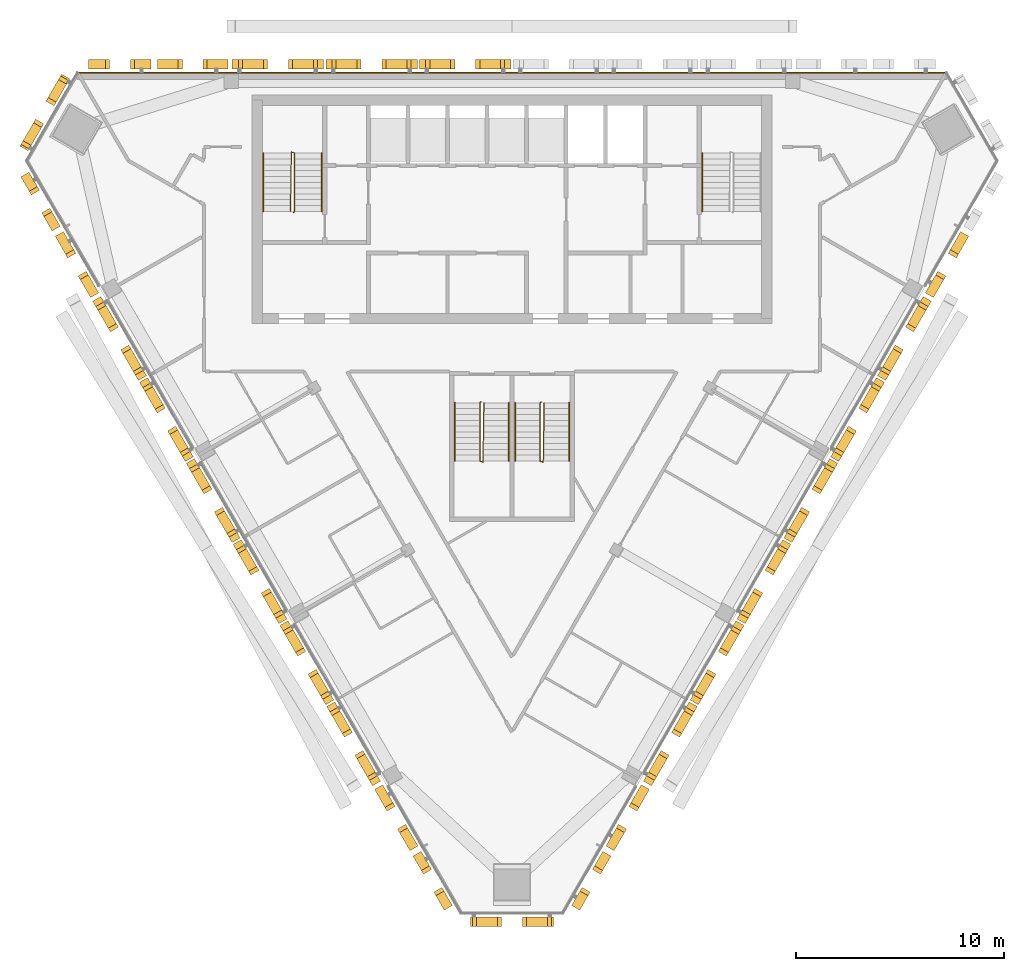
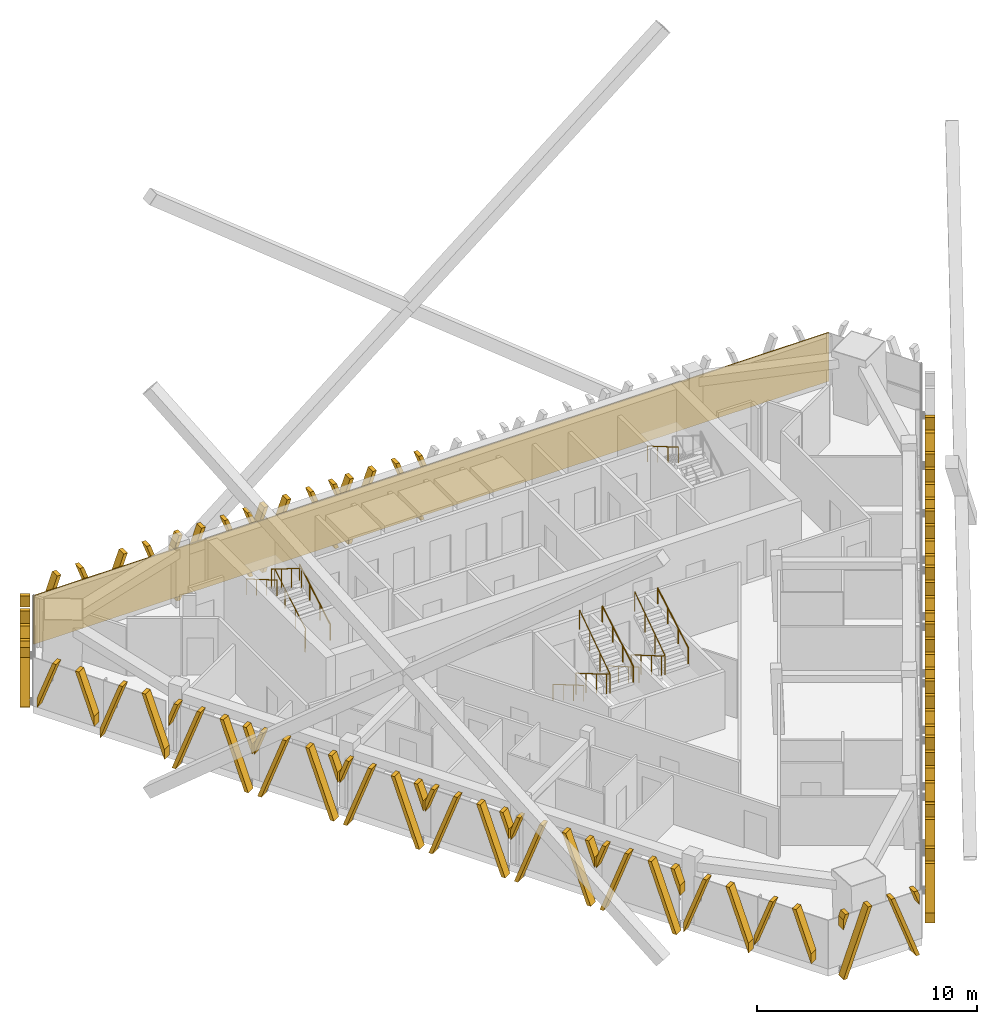
# One storey, part 12 of 14: 26 shading devices, 10 railings, 1 covering.
"""IFC4 building model written with IfcOpenShell, lengths in metres."""

from ifc_helpers import new_model, si_unit, direction, frame, frame_2d, origin, origin_2d, place, context, subcontext, project, spatial, polyline, rectangle, circle, outline, extrude, source, transform, mapped, material, layer, layer_set, type_object, element, save


model = new_model("IFC4")

# Units and contexts
model_context = context("Model", 3, precision=1e-05, world=origin(), true_north=direction((0.0, 1.0)))
body_context = subcontext(model_context, "Body", "Model", "MODEL_VIEW")
ifc_project = project(units=[si_unit("LENGTHUNIT", "METRE"), si_unit("AREAUNIT", "SQUARE_METRE"), si_unit("VOLUMEUNIT", "CUBIC_METRE"), si_unit("PLANEANGLEUNIT", "RADIAN"), si_unit("MASSUNIT", "GRAM", prefix="KILO")], contexts=[model_context])

# Site, building, storey
site_placement = place(None, origin())
site = spatial("IfcSite", under=ifc_project, at=site_placement, CompositionType="ELEMENT")
building_placement = place(site_placement, origin())
building = spatial("IfcBuilding", under=site, at=building_placement, Name="Altiplano Prism Tower", CompositionType="ELEMENT")
storey_placement = place(building_placement, frame((0.0, 0.0, 264.39990234375)))
storey = spatial("IfcBuildingStorey", under=building, at=storey_placement, Name="L68", CompositionType="ELEMENT", Elevation=264.39990234375)

# Railings
ifc_material_1 = material(Name="Steel S355", Category="steel")
railing_type_1 = type_object("IfcRailingType", Name="Stair guard 1100", PredefinedType="GUARDRAIL", material=ifc_material_1)
railing_1_placement = place(storey_placement, frame((74.5, 98.25, 0.0)))
element("IfcRailing", 1, at=railing_1_placement, inside=storey, type_object=railing_type_1, Name="L68 ST1 stair guard 1", PredefinedType="GUARDRAIL", context=body_context, shape_type="SweptSolid", body=[
    extrude(circle(Radius=0.02392578125, at=origin_2d()), frame((0.0, 0.0, 1.076171875), z_axis=(0.280456126637, 0.280456126637, 0.917980785237), x_axis=(-0.707106781187, 0.707106781187, 0.0)), (0.0, 0.0, 1.0), 0.178466796875),
    extrude(circle(Radius=0.02392578125, at=origin_2d()), frame((0.050048828125, 0.050048828125, 1.23974609375), z_axis=(0.0, 0.863393664356, 0.504530851732), x_axis=(-1.0, 0.0, 0.0)), (0.0, 0.0, 1.0), 3.2431640625),
    extrude(circle(Radius=0.02392578125, at=origin_2d()), frame((0.050048828125, 2.85009765625, 2.8759765625), z_axis=(-0.949145278916, 0.314838433982, 0.0), x_axis=(-0.314838433982, -0.949145278916, 0.0)), (0.0, 0.0, 1.0), 0.158203125),
    extrude(circle(Radius=0.02392578125, at=origin_2d()), frame((-0.10009765625, 2.89990234375, 2.8759765625), z_axis=(-0.01477401265, -0.845377694409, 0.533964682676), x_axis=(0.999847325713, -0.01747355902, 0.0)), (0.0, 0.0, 1.0), 3.37109375),
    extrude(circle(Radius=0.02099609375, at=origin_2d()), origin(), (0.0, 0.0, 1.0), 1.052001953125),
    extrude(circle(Radius=0.02099609375, at=origin_2d()), frame((0.050048828125, 0.050048828125, 0.163818359375)), (0.0, 0.0, 1.0), 1.052001953125),
    extrude(circle(Radius=0.02099609375, at=origin_2d()), frame((0.050048828125, 0.9833984375, 0.709228515625)), (0.0, 0.0, 1.0), 1.052001953125),
    extrude(circle(Radius=0.02099609375, at=origin_2d()), frame((0.050048828125, 1.916748046875, 1.254638671875)), (0.0, 0.0, 1.0), 1.052001953125),
    extrude(circle(Radius=0.02099609375, at=origin_2d()), frame((0.050048828125, 2.85009765625, 1.800048828125)), (0.0, 0.0, 1.0), 1.052001953125),
    extrude(circle(Radius=0.02099609375, at=origin_2d()), frame((-0.10009765625, 2.89990234375, 1.800048828125)), (0.0, 0.0, 1.0), 1.052001953125),
    extrude(circle(Radius=0.02099609375, at=origin_2d()), frame((-0.11669921875, 1.949951171875, 2.400146484375)), (0.0, 0.0, 1.0), 1.052001953125),
    extrude(circle(Radius=0.02099609375, at=origin_2d()), frame((-0.13330078125, 1.0, 3.0)), (0.0, 0.0, 1.0), 1.052001953125),
    extrude(circle(Radius=0.02099609375, at=origin_2d()), frame((-0.14990234375, 0.050048828125, 3.60009765625)), (0.0, 0.0, 1.0), 1.052001953125),
])
railing_2_placement = place(storey_placement, frame((83.5, 89.14990234375, 0.0)))
element("IfcRailing", 2, at=railing_2_placement, inside=storey, type_object=railing_type_1, Name="L68 ST3A stair guard 1", PredefinedType="GUARDRAIL", context=body_context, shape_type="SweptSolid", body=[
    extrude(circle(Radius=0.02392578125, at=origin_2d()), frame((0.0, 0.0, 1.076171875), z_axis=(-0.280563532951, -0.279194930351, 0.91833234444), x_axis=(0.705375805398, -0.708833529934, 0.0)), (0.0, 0.0, 1.0), 0.178466796875),
    extrude(circle(Radius=0.02392578125, at=origin_2d()), frame((-0.050048828125, -0.0498046875, 1.23974609375), z_axis=(0.0, -0.863393664356, 0.504530851732), x_axis=(1.0, 0.0, 0.0)), (0.0, 0.0, 1.0), 3.2431640625),
    extrude(circle(Radius=0.02392578125, at=origin_2d()), frame((-0.050048828125, -2.849853515625, 2.8759765625), z_axis=(0.948683298051, -0.316227766017, 0.0), x_axis=(0.316227766017, 0.948683298051, 0.0)), (0.0, 0.0, 1.0), 0.158203125),
    extrude(circle(Radius=0.02392578125, at=origin_2d()), frame((0.10009765625, -2.89990234375, 2.8759765625), z_axis=(0.014773108175, 0.84539835705, 0.533931993021), x_axis=(-0.999847351862, 0.017472062685, 0.0)), (0.0, 0.0, 1.0), 3.371337890625),
    extrude(circle(Radius=0.02099609375, at=origin_2d()), origin(), (0.0, 0.0, 1.0), 1.052001953125),
    extrude(circle(Radius=0.02099609375, at=origin_2d()), frame((-0.050048828125, -0.0498046875, 0.163818359375)), (0.0, 0.0, 1.0), 1.052001953125),
    extrude(circle(Radius=0.02099609375, at=origin_2d()), frame((-0.050048828125, -0.983154296875, 0.709228515625)), (0.0, 0.0, 1.0), 1.052001953125),
    extrude(circle(Radius=0.02099609375, at=origin_2d()), frame((-0.050048828125, -1.91650390625, 1.254638671875)), (0.0, 0.0, 1.0), 1.052001953125),
    extrude(circle(Radius=0.02099609375, at=origin_2d()), frame((-0.050048828125, -2.849853515625, 1.800048828125)), (0.0, 0.0, 1.0), 1.052001953125),
    extrude(circle(Radius=0.02099609375, at=origin_2d()), frame((0.10009765625, -2.89990234375, 1.800048828125)), (0.0, 0.0, 1.0), 1.052001953125),
    extrude(circle(Radius=0.02099609375, at=origin_2d()), frame((0.11669921875, -1.949951171875, 2.400146484375)), (0.0, 0.0, 1.0), 1.052001953125),
    extrude(circle(Radius=0.02099609375, at=origin_2d()), frame((0.13330078125, -0.999755859375, 3.0)), (0.0, 0.0, 1.0), 1.052001953125),
    extrude(circle(Radius=0.02099609375, at=origin_2d()), frame((0.14990234375, -0.0498046875, 3.60009765625)), (0.0, 0.0, 1.0), 1.052001953125),
])
railing_3_placement = place(storey_placement, frame((86.39990234375, 89.14990234375, 0.0)))
element("IfcRailing", 3, at=railing_3_placement, inside=storey, type_object=railing_type_1, Name="L68 ST3B stair guard 1", PredefinedType="GUARDRAIL", context=body_context, shape_type="SweptSolid", body=[
    extrude(circle(Radius=0.02392578125, at=origin_2d()), frame((0.0, 0.0, 1.076171875), z_axis=(-0.279301935624, -0.279301935624, 0.918684307863), x_axis=(0.707106781187, -0.707106781187, 0.0)), (0.0, 0.0, 1.0), 0.17822265625),
    extrude(circle(Radius=0.02392578125, at=origin_2d()), frame((-0.0498046875, -0.0498046875, 1.23974609375), z_axis=(0.0, -0.863393664356, 0.504530851732), x_axis=(1.0, 0.0, 0.0)), (0.0, 0.0, 1.0), 3.2431640625),
    extrude(circle(Radius=0.02392578125, at=origin_2d()), frame((-0.0498046875, -2.849853515625, 2.8759765625), z_axis=(0.948528701346, -0.316691178788, 0.0), x_axis=(0.316691178788, 0.948528701346, 0.0)), (0.0, 0.0, 1.0), 0.157958984375),
    extrude(circle(Radius=0.02392578125, at=origin_2d()), frame((0.10009765625, -2.89990234375, 2.8759765625), z_axis=(0.014845509451, 0.845397450405, 0.533931420407), x_axis=(-0.999845851991, 0.017557683712, 0.0)), (0.0, 0.0, 1.0), 3.371337890625),
    extrude(circle(Radius=0.02099609375, at=origin_2d()), origin(), (0.0, 0.0, 1.0), 1.052001953125),
    extrude(circle(Radius=0.02099609375, at=origin_2d()), frame((-0.0498046875, -0.0498046875, 0.163818359375)), (0.0, 0.0, 1.0), 1.052001953125),
    extrude(circle(Radius=0.02099609375, at=origin_2d()), frame((-0.0498046875, -0.983154296875, 0.709228515625)), (0.0, 0.0, 1.0), 1.052001953125),
    extrude(circle(Radius=0.02099609375, at=origin_2d()), frame((-0.0498046875, -1.91650390625, 1.254638671875)), (0.0, 0.0, 1.0), 1.052001953125),
    extrude(circle(Radius=0.02099609375, at=origin_2d()), frame((-0.0498046875, -2.849853515625, 1.800048828125)), (0.0, 0.0, 1.0), 1.052001953125),
    extrude(circle(Radius=0.02099609375, at=origin_2d()), frame((0.10009765625, -2.89990234375, 1.800048828125)), (0.0, 0.0, 1.0), 1.052001953125),
    extrude(circle(Radius=0.02099609375, at=origin_2d()), frame((0.11669921875, -1.949951171875, 2.400146484375)), (0.0, 0.0, 1.0), 1.052001953125),
    extrude(circle(Radius=0.02099609375, at=origin_2d()), frame((0.133544921875, -0.999755859375, 3.0)), (0.0, 0.0, 1.0), 1.052001953125),
    extrude(circle(Radius=0.02099609375, at=origin_2d()), frame((0.150146484375, -0.0498046875, 3.60009765625)), (0.0, 0.0, 1.0), 1.052001953125),
])
railing_type_2 = type_object("IfcRailingType", Name="Stair handrail 900", PredefinedType="HANDRAIL", material=ifc_material_1)
railing_4_placement = place(storey_placement, frame((75.85009765625, 98.300048828125, 0.163818359375)))
element("IfcRailing", 4, at=railing_4_placement, inside=storey, type_object=railing_type_2, Name="L68 ST1 stair handrail 1", PredefinedType="HANDRAIL", context=body_context, shape_type="SweptSolid", body=[
    extrude(circle(Radius=0.02392578125, at=origin_2d()), frame((0.0, 0.0, 0.8759765625), z_axis=(0.0, 0.863393664356, 0.504530851732), x_axis=(-1.0, 0.0, 0.0)), (0.0, 0.0, 1.0), 3.2431640625),
    extrude(circle(Radius=0.02099609375, at=origin_2d()), origin(), (0.0, 0.0, 1.0), 0.851806640625),
    extrude(circle(Radius=0.02099609375, at=origin_2d()), frame((0.0, 0.933349609375, 0.54541015625)), (0.0, 0.0, 1.0), 0.851806640625),
    extrude(circle(Radius=0.02099609375, at=origin_2d()), frame((0.0, 1.86669921875, 1.0908203125)), (0.0, 0.0, 1.0), 0.851806640625),
    extrude(circle(Radius=0.02099609375, at=origin_2d()), frame((0.0, 2.800048828125, 1.63623046875)), (0.0, 0.0, 1.0), 0.851806640625),
])
for number, where, name in (
    (5, (73.050048828125, 101.10009765625, 1.963623046875), "L68 ST1 stair handrail 2"),
    (6, (94.14990234375, 101.10009765625, 1.963623046875), "L68 ST2 stair handrail 2"),
):
    element("IfcRailing", number, at=place(storey_placement, frame(where)), inside=storey, type_object=railing_type_2, Name=name, PredefinedType="HANDRAIL", context=body_context, shape_type="SweptSolid", body=[
        extrude(circle(Radius=0.02392578125, at=origin_2d()), frame((0.0, 0.0, 0.8759765625), z_axis=(0.0, -0.863360870873, 0.504586966384), x_axis=(1.0, 0.0, 0.0)), (0.0, 0.0, 1.0), 3.2431640625),
        extrude(circle(Radius=0.02099609375, at=origin_2d()), origin(), (0.0, 0.0, 1.0), 0.851806640625),
        extrude(circle(Radius=0.02099609375, at=origin_2d()), frame((0.0, -0.933349609375, 0.54541015625)), (0.0, 0.0, 1.0), 0.851806640625),
        extrude(circle(Radius=0.02099609375, at=origin_2d()), frame((0.0, -1.86669921875, 1.091064453125)), (0.0, 0.0, 1.0), 0.851806640625),
        extrude(circle(Radius=0.02099609375, at=origin_2d()), frame((0.0, -2.800048828125, 1.636474609375)), (0.0, 0.0, 1.0), 0.851806640625),
    ])
railing_5_placement = place(storey_placement, frame((82.25, 89.10009765625, 0.163818359375)))
element("IfcRailing", 7, at=railing_5_placement, inside=storey, type_object=railing_type_2, Name="L68 ST3A stair handrail 1", PredefinedType="HANDRAIL", context=body_context, shape_type="SweptSolid", body=[
    extrude(circle(Radius=0.02392578125, at=origin_2d()), frame((0.0, 0.0, 0.8759765625), z_axis=(0.0, -0.863393664356, 0.504530851732), x_axis=(1.0, 0.0, 0.0)), (0.0, 0.0, 1.0), 3.2431640625),
    extrude(circle(Radius=0.02099609375, at=origin_2d()), origin(), (0.0, 0.0, 1.0), 0.851806640625),
    extrude(circle(Radius=0.02099609375, at=origin_2d()), frame((0.0, -0.933349609375, 0.54541015625)), (0.0, 0.0, 1.0), 0.851806640625),
    extrude(circle(Radius=0.02099609375, at=origin_2d()), frame((0.0, -1.86669921875, 1.0908203125)), (0.0, 0.0, 1.0), 0.851806640625),
    extrude(circle(Radius=0.02099609375, at=origin_2d()), frame((0.0, -2.800048828125, 1.63623046875)), (0.0, 0.0, 1.0), 0.851806640625),
])
railing_6_placement = place(storey_placement, frame((84.85009765625, 86.300048828125, 1.963623046875)))
element("IfcRailing", 8, at=railing_6_placement, inside=storey, type_object=railing_type_2, Name="L68 ST3A stair handrail 2", PredefinedType="HANDRAIL", context=body_context, shape_type="SweptSolid", body=[
    extrude(circle(Radius=0.02392578125, at=origin_2d()), frame((0.0, 0.0, 0.8759765625), z_axis=(0.0, 0.863360870873, 0.504586966384), x_axis=(-1.0, 0.0, 0.0)), (0.0, 0.0, 1.0), 3.2431640625),
    extrude(circle(Radius=0.02099609375, at=origin_2d()), origin(), (0.0, 0.0, 1.0), 0.851806640625),
    extrude(circle(Radius=0.02099609375, at=origin_2d()), frame((0.0, 0.933349609375, 0.54541015625)), (0.0, 0.0, 1.0), 0.851806640625),
    extrude(circle(Radius=0.02099609375, at=origin_2d()), frame((0.0, 1.86669921875, 1.091064453125)), (0.0, 0.0, 1.0), 0.851806640625),
    extrude(circle(Radius=0.02099609375, at=origin_2d()), frame((0.0, 2.800048828125, 1.636474609375)), (0.0, 0.0, 1.0), 0.851806640625),
])
railing_7_placement = place(storey_placement, frame((85.14990234375, 89.10009765625, 0.163818359375)))
element("IfcRailing", 9, at=railing_7_placement, inside=storey, type_object=railing_type_2, Name="L68 ST3B stair handrail 1", PredefinedType="HANDRAIL", context=body_context, shape_type="SweptSolid", body=[
    extrude(circle(Radius=0.02392578125, at=origin_2d()), frame((0.0, 0.0, 0.8759765625), z_axis=(0.0, -0.863393664356, 0.504530851732), x_axis=(1.0, 0.0, 0.0)), (0.0, 0.0, 1.0), 3.2431640625),
    extrude(circle(Radius=0.02099609375, at=origin_2d()), origin(), (0.0, 0.0, 1.0), 0.851806640625),
    extrude(circle(Radius=0.02099609375, at=origin_2d()), frame((0.0, -0.933349609375, 0.54541015625)), (0.0, 0.0, 1.0), 0.851806640625),
    extrude(circle(Radius=0.02099609375, at=origin_2d()), frame((0.0, -1.86669921875, 1.0908203125)), (0.0, 0.0, 1.0), 0.851806640625),
    extrude(circle(Radius=0.02099609375, at=origin_2d()), frame((0.0, -2.800048828125, 1.63623046875)), (0.0, 0.0, 1.0), 0.851806640625),
])
railing_8_placement = place(storey_placement, frame((87.75, 86.300048828125, 1.963623046875)))
element("IfcRailing", 10, at=railing_8_placement, inside=storey, type_object=railing_type_2, Name="L68 ST3B stair handrail 2", PredefinedType="HANDRAIL", context=body_context, shape_type="SweptSolid", body=[
    extrude(circle(Radius=0.02392578125, at=origin_2d()), frame((0.0, 0.0, 0.8759765625), z_axis=(0.0, 0.863360870873, 0.504586966384), x_axis=(-1.0, 0.0, 0.0)), (0.0, 0.0, 1.0), 3.2431640625),
    extrude(circle(Radius=0.02099609375, at=origin_2d()), origin(), (0.0, 0.0, 1.0), 0.851806640625),
    extrude(circle(Radius=0.02099609375, at=origin_2d()), frame((0.0, 0.933349609375, 0.54541015625)), (0.0, 0.0, 1.0), 0.851806640625),
    extrude(circle(Radius=0.02099609375, at=origin_2d()), frame((0.0, 1.86669921875, 1.091064453125)), (0.0, 0.0, 1.0), 0.851806640625),
    extrude(circle(Radius=0.02099609375, at=origin_2d()), frame((0.0, 2.800048828125, 1.636474609375)), (0.0, 0.0, 1.0), 0.851806640625),
])

# Covering
ifc_material_2 = material(Name="Warm limestone cast stone", Category="masonry")
ifc_layer = layer(ifc_material_2, 0.06005859375)
ifc_layer_set = layer_set([ifc_layer], Name="Warm limestone cast stone")
covering_type = type_object("IfcCoveringType", Name="Stone cladding 60", PredefinedType="CLADDING", material=ifc_layer_set)
covering_placement = place(storey_placement, frame((64.100830078125, 104.969970703125, 0.0), z_axis=(0.0, 0.0, 1.0), x_axis=(1.0, 0.0, 0.0)))
element("IfcCovering", 11, at=covering_placement, inside=storey, type_object=covering_type, Name="Stone cladding north face L68", PredefinedType="CLADDING", context=body_context, shape_type="SweptSolid", body=[
    extrude(rectangle(XDim=41.79833984375, YDim=0.06005859375, at=frame_2d((20.899169921875, 0.0))), origin(), (0.0, 0.0, 1.0), 2.7001953125),
])

# Shading devices
shading_device_type_1 = type_object("IfcShadingDeviceType", Name="Stone fin panel, standard unit", PredefinedType="USERDEFINED", material=ifc_material_2)
shared_shape_1 = source(origin(), body_context, "Body", "SweptSolid", [
    extrude(outline(polyline([(-2.199951171875, 2.226318359375), (-1.699951171875, 3.60009765625), (-1.89990234375, 3.60009765625), (-2.199951171875, 2.77587890625), (-2.199951171875, 2.226318359375)])), frame((0.0, -0.14990234375, 0.0), z_axis=(0.0, -1.0, 0.0), x_axis=(1.0, 0.0, 0.0)), (0.0, 0.0, 1.0), 0.4501953125),
    extrude(outline(polyline([(-2.01025390625, 0.0), (-1.810302734375, 0.0), (-0.5, 3.60009765625), (-0.699951171875, 3.60009765625), (-2.01025390625, 0.0)])), frame((0.0, -0.14990234375, 0.0), z_axis=(0.0, -1.0, 0.0), x_axis=(1.0, 0.0, 0.0)), (0.0, 0.0, 1.0), 0.4501953125),
    extrude(outline(polyline([(1.810302734375, 0.0), (2.01025390625, 0.0), (0.699951171875, 3.60009765625), (0.5, 3.60009765625), (1.810302734375, 0.0)])), frame((0.0, -0.14990234375, 0.0), z_axis=(0.0, -1.0, 0.0), x_axis=(1.0, 0.0, 0.0)), (0.0, 0.0, 1.0), 0.4501953125),
    extrude(outline(polyline([(2.199951171875, 2.77587890625), (1.89990234375, 3.60009765625), (1.699951171875, 3.60009765625), (2.199951171875, 2.226318359375), (2.199951171875, 2.77587890625)])), frame((0.0, -0.14990234375, 0.0), z_axis=(0.0, -1.0, 0.0), x_axis=(1.0, 0.0, 0.0)), (0.0, 0.0, 1.0), 0.4501953125),
])
shading_device_1_placement = place(storey_placement, origin())
element("IfcShadingDevice", 12, at=shading_device_1_placement, inside=storey, type_object=shading_device_type_1, Name="Fin L68 north face 6", ObjectType="FIN", PredefinedType="USERDEFINED", context=body_context, shape_type="MappedRepresentation", body=[
    mapped(shared_shape_1, transform((82.75, 105.0, -0.39990234375), x_axis=(-1.0, 0.0, 0.0), y_axis=(0.0, -1.0, 0.0), z_axis=(0.0, 0.0, 1.0))),
])
shading_device_2_placement = place(storey_placement, origin())
element("IfcShadingDevice", 13, at=shading_device_2_placement, inside=storey, type_object=shading_device_type_1, Name="Fin L68 north face 7", ObjectType="FIN", PredefinedType="USERDEFINED", context=body_context, shape_type="MappedRepresentation", body=[
    mapped(shared_shape_1, transform((78.25, 105.0, -0.39990234375), x_axis=(-1.0, 0.0, 0.0), y_axis=(0.0, -1.0, 0.0), z_axis=(0.0, 0.0, 1.0))),
])
shading_device_3_placement = place(storey_placement, origin())
element("IfcShadingDevice", 14, at=shading_device_3_placement, inside=storey, type_object=shading_device_type_1, Name="Fin L68 north face 8", ObjectType="FIN", PredefinedType="USERDEFINED", context=body_context, shape_type="MappedRepresentation", body=[
    mapped(shared_shape_1, transform((73.75, 105.0, -0.39990234375), x_axis=(-1.0, 0.0, 0.0), y_axis=(0.0, -1.0, 0.0), z_axis=(0.0, 0.0, 1.0))),
])
shading_device_4_placement = place(storey_placement, origin())
element("IfcShadingDevice", 15, at=shading_device_4_placement, inside=storey, type_object=shading_device_type_1, Name="Fin L68 south-west face 3", ObjectType="FIN", PredefinedType="USERDEFINED", context=body_context, shape_type="MappedRepresentation", body=[
    mapped(shared_shape_1, transform((66.46337890625, 92.379150390625, -0.39990234375), x_axis=(0.499999990242, -0.866025409418, 0.0), y_axis=(0.866025409418, 0.499999990242, 0.0), z_axis=(0.0, 0.0, 1.0))),
])
shading_device_5_placement = place(storey_placement, origin())
element("IfcShadingDevice", 16, at=shading_device_5_placement, inside=storey, type_object=shading_device_type_1, Name="Fin L68 south-west face 4", ObjectType="FIN", PredefinedType="USERDEFINED", context=body_context, shape_type="MappedRepresentation", body=[
    mapped(shared_shape_1, transform((68.71337890625, 88.48193359375, -0.39990234375), x_axis=(0.499999990242, -0.866025409418, 0.0), y_axis=(0.866025409418, 0.499999990242, 0.0), z_axis=(0.0, 0.0, 1.0))),
])
shading_device_6_placement = place(storey_placement, origin())
element("IfcShadingDevice", 17, at=shading_device_6_placement, inside=storey, type_object=shading_device_type_1, Name="Fin L68 south-west face 5", ObjectType="FIN", PredefinedType="USERDEFINED", context=body_context, shape_type="MappedRepresentation", body=[
    mapped(shared_shape_1, transform((70.96337890625, 84.5849609375, -0.39990234375), x_axis=(0.499999990242, -0.866025409418, 0.0), y_axis=(0.866025409418, 0.499999990242, 0.0), z_axis=(0.0, 0.0, 1.0))),
])
shading_device_7_placement = place(storey_placement, origin())
element("IfcShadingDevice", 18, at=shading_device_7_placement, inside=storey, type_object=shading_device_type_1, Name="Fin L68 south-west face 6", ObjectType="FIN", PredefinedType="USERDEFINED", context=body_context, shape_type="MappedRepresentation", body=[
    mapped(shared_shape_1, transform((73.21337890625, 80.687744140625, -0.39990234375), x_axis=(0.499999990242, -0.866025409418, 0.0), y_axis=(0.866025409418, 0.499999990242, 0.0), z_axis=(0.0, 0.0, 1.0))),
])
shading_device_8_placement = place(storey_placement, origin())
element("IfcShadingDevice", 19, at=shading_device_8_placement, inside=storey, type_object=shading_device_type_1, Name="Fin L68 south-west face 7", ObjectType="FIN", PredefinedType="USERDEFINED", context=body_context, shape_type="MappedRepresentation", body=[
    mapped(shared_shape_1, transform((75.46337890625, 76.790771484375, -0.39990234375), x_axis=(0.499999990242, -0.866025409418, 0.0), y_axis=(0.866025409418, 0.499999990242, 0.0), z_axis=(0.0, 0.0, 1.0))),
])
shading_device_9_placement = place(storey_placement, origin())
element("IfcShadingDevice", 20, at=shading_device_9_placement, inside=storey, type_object=shading_device_type_1, Name="Fin L68 south-west face 8", ObjectType="FIN", PredefinedType="USERDEFINED", context=body_context, shape_type="MappedRepresentation", body=[
    mapped(shared_shape_1, transform((77.71337890625, 72.8935546875, -0.39990234375), x_axis=(0.499999990242, -0.866025409418, 0.0), y_axis=(0.866025409418, 0.499999990242, 0.0), z_axis=(0.0, 0.0, 1.0))),
])
shading_device_10_placement = place(storey_placement, origin())
element("IfcShadingDevice", 21, at=shading_device_10_placement, inside=storey, type_object=shading_device_type_1, Name="Fin L68 south-east face 3", ObjectType="FIN", PredefinedType="USERDEFINED", context=body_context, shape_type="MappedRepresentation", body=[
    mapped(shared_shape_1, transform((92.28662109375, 72.8935546875, -0.39990234375), x_axis=(0.499999990242, 0.866025409418, 0.0), y_axis=(-0.866025409418, 0.499999990242, 0.0), z_axis=(0.0, 0.0, 1.0))),
])
shading_device_11_placement = place(storey_placement, origin())
element("IfcShadingDevice", 22, at=shading_device_11_placement, inside=storey, type_object=shading_device_type_1, Name="Fin L68 south-east face 4", ObjectType="FIN", PredefinedType="USERDEFINED", context=body_context, shape_type="MappedRepresentation", body=[
    mapped(shared_shape_1, transform((94.53662109375, 76.790771484375, -0.39990234375), x_axis=(0.499999990242, 0.866025409418, 0.0), y_axis=(-0.866025409418, 0.499999990242, 0.0), z_axis=(0.0, 0.0, 1.0))),
])
shading_device_12_placement = place(storey_placement, origin())
element("IfcShadingDevice", 23, at=shading_device_12_placement, inside=storey, type_object=shading_device_type_1, Name="Fin L68 south-east face 5", ObjectType="FIN", PredefinedType="USERDEFINED", context=body_context, shape_type="MappedRepresentation", body=[
    mapped(shared_shape_1, transform((96.78662109375, 80.687744140625, -0.39990234375), x_axis=(0.499999990242, 0.866025409418, 0.0), y_axis=(-0.866025409418, 0.499999990242, 0.0), z_axis=(0.0, 0.0, 1.0))),
])
shading_device_13_placement = place(storey_placement, origin())
element("IfcShadingDevice", 24, at=shading_device_13_placement, inside=storey, type_object=shading_device_type_1, Name="Fin L68 south-east face 6", ObjectType="FIN", PredefinedType="USERDEFINED", context=body_context, shape_type="MappedRepresentation", body=[
    mapped(shared_shape_1, transform((99.03662109375, 84.5849609375, -0.39990234375), x_axis=(0.499999990242, 0.866025409418, 0.0), y_axis=(-0.866025409418, 0.499999990242, 0.0), z_axis=(0.0, 0.0, 1.0))),
])
shading_device_14_placement = place(storey_placement, origin())
element("IfcShadingDevice", 25, at=shading_device_14_placement, inside=storey, type_object=shading_device_type_1, Name="Fin L68 south-east face 7", ObjectType="FIN", PredefinedType="USERDEFINED", context=body_context, shape_type="MappedRepresentation", body=[
    mapped(shared_shape_1, transform((101.28662109375, 88.48193359375, -0.39990234375), x_axis=(0.499999990242, 0.866025409418, 0.0), y_axis=(-0.866025409418, 0.499999990242, 0.0), z_axis=(0.0, 0.0, 1.0))),
])
shading_device_15_placement = place(storey_placement, origin())
element("IfcShadingDevice", 26, at=shading_device_15_placement, inside=storey, type_object=shading_device_type_1, Name="Fin L68 south-east face 8", ObjectType="FIN", PredefinedType="USERDEFINED", context=body_context, shape_type="MappedRepresentation", body=[
    mapped(shared_shape_1, transform((103.53662109375, 92.379150390625, -0.39990234375), x_axis=(0.499999990242, 0.866025409418, 0.0), y_axis=(-0.866025409418, 0.499999990242, 0.0), z_axis=(0.0, 0.0, 1.0))),
])
shading_device_type_2 = type_object("IfcShadingDeviceType", Name="Stone fin panel, narrow closing bay", PredefinedType="USERDEFINED", material=ifc_material_2)
shared_shape_2 = source(origin(), body_context, "Body", "SweptSolid", [
    extrude(outline(polyline([(-1.699951171875, 0.302978515625), (-0.5, 3.60009765625), (-0.699951171875, 3.60009765625), (-1.699951171875, 0.8525390625), (-1.699951171875, 0.302978515625)])), frame((0.0, -0.14990234375, 0.0), z_axis=(0.0, -1.0, 0.0), x_axis=(1.0, 0.0, 0.0)), (0.0, 0.0, 1.0), 0.4501953125),
    extrude(outline(polyline([(1.699951171875, 0.8525390625), (0.699951171875, 3.60009765625), (0.5, 3.60009765625), (1.699951171875, 0.302978515625), (1.699951171875, 0.8525390625)])), frame((0.0, -0.14990234375, 0.0), z_axis=(0.0, -1.0, 0.0), x_axis=(1.0, 0.0, 0.0)), (0.0, 0.0, 1.0), 0.4501953125),
])
shading_device_16_placement = place(storey_placement, origin())
element("IfcShadingDevice", 27, at=shading_device_16_placement, inside=storey, type_object=shading_device_type_2, Name="Fin L68 north face 9", ObjectType="FIN", PredefinedType="USERDEFINED", context=body_context, shape_type="MappedRepresentation", body=[
    mapped(shared_shape_2, transform((69.650146484375, 105.0, -0.39990234375), x_axis=(-1.0, 0.0, 0.0), y_axis=(0.0, -1.0, 0.0), z_axis=(0.0, 0.0, 1.0))),
])
shading_device_17_placement = place(storey_placement, origin())
element("IfcShadingDevice", 28, at=shading_device_17_placement, inside=storey, type_object=shading_device_type_2, Name="Fin L68 south-west face 2", ObjectType="FIN", PredefinedType="USERDEFINED", context=body_context, shape_type="MappedRepresentation", body=[
    mapped(shared_shape_2, transform((64.41357421875, 95.9296875, -0.39990234375), x_axis=(0.499999990242, -0.866025409418, 0.0), y_axis=(0.866025409418, 0.499999990242, 0.0), z_axis=(0.0, 0.0, 1.0))),
])
shading_device_18_placement = place(storey_placement, origin())
element("IfcShadingDevice", 29, at=shading_device_18_placement, inside=storey, type_object=shading_device_type_2, Name="Fin L68 south-west face 9", ObjectType="FIN", PredefinedType="USERDEFINED", context=body_context, shape_type="MappedRepresentation", body=[
    mapped(shared_shape_2, transform((79.76318359375, 69.343017578125, -0.39990234375), x_axis=(0.499999990242, -0.866025409418, 0.0), y_axis=(0.866025409418, 0.499999990242, 0.0), z_axis=(0.0, 0.0, 1.0))),
])
shading_device_19_placement = place(storey_placement, origin())
element("IfcShadingDevice", 30, at=shading_device_19_placement, inside=storey, type_object=shading_device_type_2, Name="Fin L68 south-east face 2", ObjectType="FIN", PredefinedType="USERDEFINED", context=body_context, shape_type="MappedRepresentation", body=[
    mapped(shared_shape_2, transform((90.23681640625, 69.343017578125, -0.39990234375), x_axis=(0.499999990242, 0.866025409418, 0.0), y_axis=(-0.866025409418, 0.499999990242, 0.0), z_axis=(0.0, 0.0, 1.0))),
])
shading_device_20_placement = place(storey_placement, origin())
element("IfcShadingDevice", 31, at=shading_device_20_placement, inside=storey, type_object=shading_device_type_2, Name="Fin L68 south-east face 9", ObjectType="FIN", PredefinedType="USERDEFINED", context=body_context, shape_type="MappedRepresentation", body=[
    mapped(shared_shape_2, transform((105.58642578125, 95.9296875, -0.39990234375), x_axis=(0.499999990242, 0.866025409418, 0.0), y_axis=(-0.866025409418, 0.499999990242, 0.0), z_axis=(0.0, 0.0, 1.0))),
])
shared_shape_3 = source(origin(), body_context, "Body", "SweptSolid", [
    extrude(outline(polyline([(-1.5, 0.8525390625), (-0.5, 3.60009765625), (-0.699951171875, 3.60009765625), (-1.5, 1.402099609375), (-1.5, 0.8525390625)])), frame((0.0, -0.14990234375, 0.0), z_axis=(0.0, -1.0, 0.0), x_axis=(1.0, 0.0, 0.0)), (0.0, 0.0, 1.0), 0.4501953125),
    extrude(outline(polyline([(1.5, 1.402099609375), (0.699951171875, 3.60009765625), (0.5, 3.60009765625), (1.5, 0.8525390625), (1.5, 1.402099609375)])), frame((0.0, -0.14990234375, 0.0), z_axis=(0.0, -1.0, 0.0), x_axis=(1.0, 0.0, 0.0)), (0.0, 0.0, 1.0), 0.4501953125),
])
shading_device_21_placement = place(storey_placement, origin())
element("IfcShadingDevice", 32, at=shading_device_21_placement, inside=storey, type_object=shading_device_type_2, Name="Fin L68 north face 10", ObjectType="FIN", PredefinedType="USERDEFINED", context=body_context, shape_type="MappedRepresentation", body=[
    mapped(shared_shape_3, transform((66.150634765625, 105.0, -0.39990234375), x_axis=(-1.0, 0.0, 0.0), y_axis=(0.0, -1.0, 0.0), z_axis=(0.0, 0.0, 1.0))),
])
shading_device_22_placement = place(storey_placement, origin())
element("IfcShadingDevice", 33, at=shading_device_22_placement, inside=storey, type_object=shading_device_type_2, Name="Fin L68 south-west face 1", ObjectType="FIN", PredefinedType="USERDEFINED", context=body_context, shape_type="MappedRepresentation", body=[
    mapped(shared_shape_3, transform((62.66357421875, 98.960205078125, -0.39990234375), x_axis=(0.499999990242, -0.866025409418, 0.0), y_axis=(0.866025409418, 0.499999990242, 0.0), z_axis=(0.0, 0.0, 1.0))),
])
shading_device_23_placement = place(storey_placement, origin())
element("IfcShadingDevice", 34, at=shading_device_23_placement, inside=storey, type_object=shading_device_type_2, Name="Fin L68 south-west face 10", ObjectType="FIN", PredefinedType="USERDEFINED", context=body_context, shape_type="MappedRepresentation", body=[
    mapped(shared_shape_3, transform((81.512939453125, 66.312255859375, -0.39990234375), x_axis=(0.499999990242, -0.866025409418, 0.0), y_axis=(0.866025409418, 0.499999990242, 0.0), z_axis=(0.0, 0.0, 1.0))),
])
shading_device_24_placement = place(storey_placement, origin())
element("IfcShadingDevice", 35, at=shading_device_24_placement, inside=storey, type_object=shading_device_type_2, Name="Fin L68 south-east face 1", ObjectType="FIN", PredefinedType="USERDEFINED", context=body_context, shape_type="MappedRepresentation", body=[
    mapped(shared_shape_3, transform((88.487060546875, 66.312255859375, -0.39990234375), x_axis=(0.499999990242, 0.866025409418, 0.0), y_axis=(-0.866025409418, 0.499999990242, 0.0), z_axis=(0.0, 0.0, 1.0))),
])
shading_device_type_3 = type_object("IfcShadingDeviceType", Name="Stone fin panel, chamfer unit", PredefinedType="USERDEFINED", material=ifc_material_2)
shared_shape_4 = source(origin(), body_context, "Body", "SweptSolid", [
    extrude(outline(polyline([(-2.0, 0.0), (-1.810302734375, 0.0), (-0.5, 3.60009765625), (-0.699951171875, 3.60009765625), (-2.0, 0.0283203125), (-2.0, 0.0)])), frame((0.0, -0.14990234375, 0.0), z_axis=(0.0, -1.0, 0.0), x_axis=(1.0, 0.0, 0.0)), (0.0, 0.0, 1.0), 0.4501953125),
    extrude(outline(polyline([(-2.0, 2.77587890625), (-1.699951171875, 3.60009765625), (-1.89990234375, 3.60009765625), (-2.0, 3.3251953125), (-2.0, 2.77587890625)])), frame((0.0, -0.14990234375, 0.0), z_axis=(0.0, -1.0, 0.0), x_axis=(1.0, 0.0, 0.0)), (0.0, 0.0, 1.0), 0.4501953125),
    extrude(outline(polyline([(1.810302734375, 0.0), (2.0, 0.0), (2.0, 0.0283203125), (0.699951171875, 3.60009765625), (0.5, 3.60009765625), (1.810302734375, 0.0)])), frame((0.0, -0.14990234375, 0.0), z_axis=(0.0, -1.0, 0.0), x_axis=(1.0, 0.0, 0.0)), (0.0, 0.0, 1.0), 0.4501953125),
    extrude(outline(polyline([(2.0, 3.3251953125), (1.89990234375, 3.60009765625), (1.699951171875, 3.60009765625), (2.0, 2.77587890625), (2.0, 3.3251953125)])), frame((0.0, -0.14990234375, 0.0), z_axis=(0.0, -1.0, 0.0), x_axis=(1.0, 0.0, 0.0)), (0.0, 0.0, 1.0), 0.4501953125),
])
shading_device_25_placement = place(storey_placement, origin())
element("IfcShadingDevice", 36, at=shading_device_25_placement, inside=storey, type_object=shading_device_type_3, Name="Fin L68 north-west chamfer 1", ObjectType="FIN", PredefinedType="USERDEFINED", context=body_context, shape_type="MappedRepresentation", body=[
    mapped(shared_shape_4, transform((62.869873046875, 102.86767578125, -0.39990234375), x_axis=(-0.499999876163, -0.866025475282, 0.0), y_axis=(0.866025475282, -0.499999876163, 0.0), z_axis=(0.0, 0.0, 1.0))),
])
shading_device_26_placement = place(storey_placement, origin())
element("IfcShadingDevice", 37, at=shading_device_26_placement, inside=storey, type_object=shading_device_type_3, Name="Fin L68 south chamfer 1", ObjectType="FIN", PredefinedType="USERDEFINED", context=body_context, shape_type="MappedRepresentation", body=[
    mapped(shared_shape_4, transform((85.0, 64.537109375, -0.39990234375), x_axis=(1.0, 0.0, 0.0), y_axis=(0.0, 1.0, 0.0), z_axis=(0.0, 0.0, 1.0))),
])

save(model, "model.ifc")
